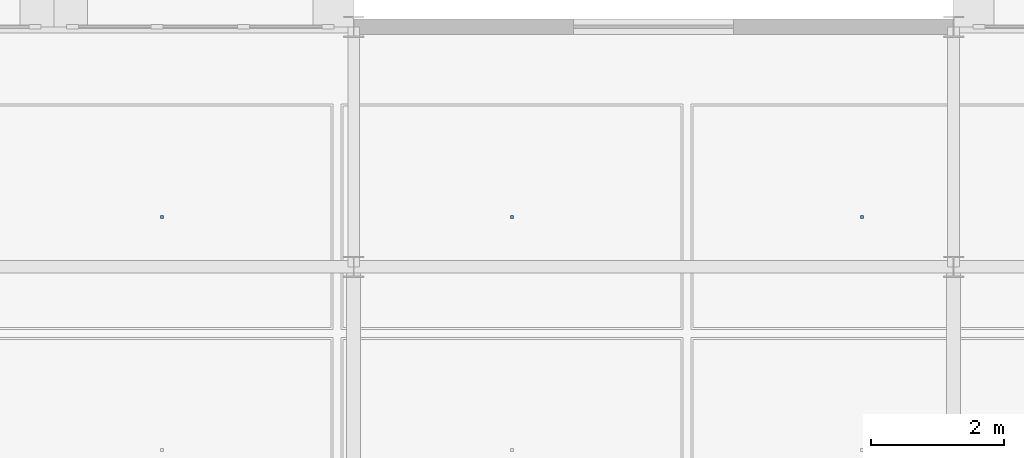
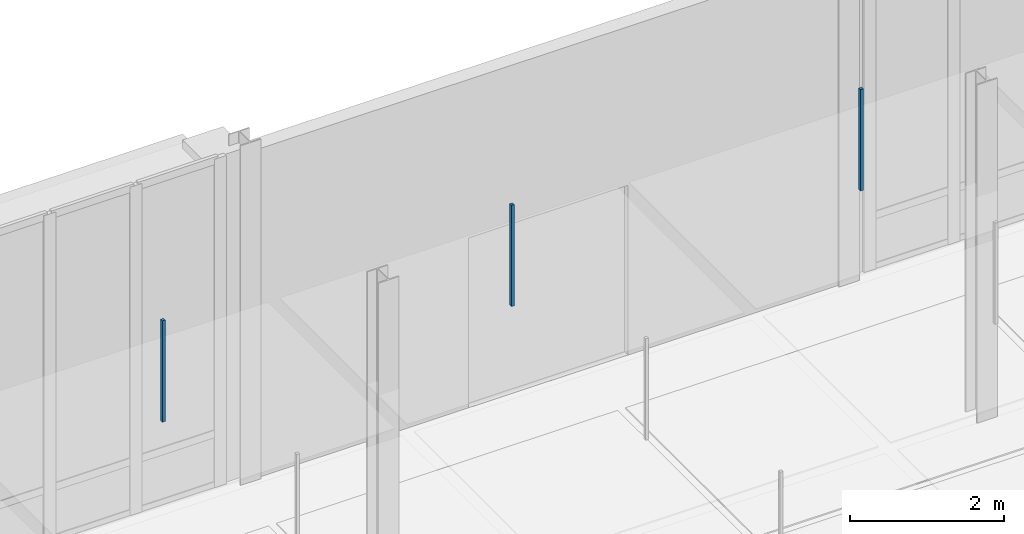
# One storey, part 142 of 180: 3 discrete accessories.
"""IFC4 building model written with IfcOpenShell, lengths in metres."""

from ifc_helpers import new_model, si_unit, direction, frame, origin, origin_2d, place, context, subcontext, project, spatial, rectangle, extrude, material, type_object, element, save


model = new_model("IFC4")

# Units and contexts
model_context = context("Model", 3, precision=1e-05, world=origin(), true_north=direction((0.0, 1.0)))
body_context = subcontext(model_context, "Body", "Model", "MODEL_VIEW")
ifc_project = project(units=[si_unit("LENGTHUNIT", "METRE"), si_unit("AREAUNIT", "SQUARE_METRE"), si_unit("VOLUMEUNIT", "CUBIC_METRE"), si_unit("PLANEANGLEUNIT", "RADIAN"), si_unit("MASSUNIT", "GRAM", prefix="KILO"), si_unit("THERMODYNAMICTEMPERATUREUNIT", "KELVIN"), si_unit("POWERUNIT", "WATT")], contexts=[model_context])

# Site, building, storey
site_placement = place(None, origin())
site = spatial("IfcSite", under=ifc_project, at=site_placement, CompositionType="ELEMENT")
building_placement = place(site_placement, origin())
building = spatial("IfcBuilding", under=site, at=building_placement, Name="Tallowbark Science Centre", CompositionType="ELEMENT")
storey_placement = place(building_placement, origin())
storey = spatial("IfcBuildingStorey", under=building, at=storey_placement, Name="L00", CompositionType="ELEMENT", Elevation=0.0)

# Discrete accessories
ifc_material = material(Name="Galvanised Steel Grade C350L0 (350 MPa)", Category="steel")
discrete_accessory_type = type_object("IfcDiscreteAccessoryType", Name="ACC-CLG-HNG", PredefinedType="BRACKET", material=ifc_material)
for number, where, z_axis, x_axis, name in (
    (1, (69.125, 108.75, 3.609375), (0.0, 0.0, 1.0), (1.0, 0.0, 0.0), "Ceiling Hanger Bracket L00-405"),
    (2, (74.375, 108.75, 3.609375), (0.0, 0.0, 1.0), (1.0, 0.0, 0.0), "Ceiling Hanger Bracket L00-408"),
    (3, (79.625, 108.75, 3.609375), (0.0, 0.0, 1.0), (1.0, 0.0, 0.0), "Ceiling Hanger Bracket L00-411"),
):
    element("IfcDiscreteAccessory", number, at=place(storey_placement, frame(where, z_axis=z_axis, x_axis=x_axis)), inside=storey, type_object=discrete_accessory_type, Name=name, PredefinedType="BRACKET", context=body_context, shape_type="SweptSolid", body=[
        extrude(rectangle(XDim=0.044921875, YDim=0.044921875, at=origin_2d()), origin(), (0.0, 0.0, 1.0), 1.613525390625),
    ])

save(model, "model.ifc")
